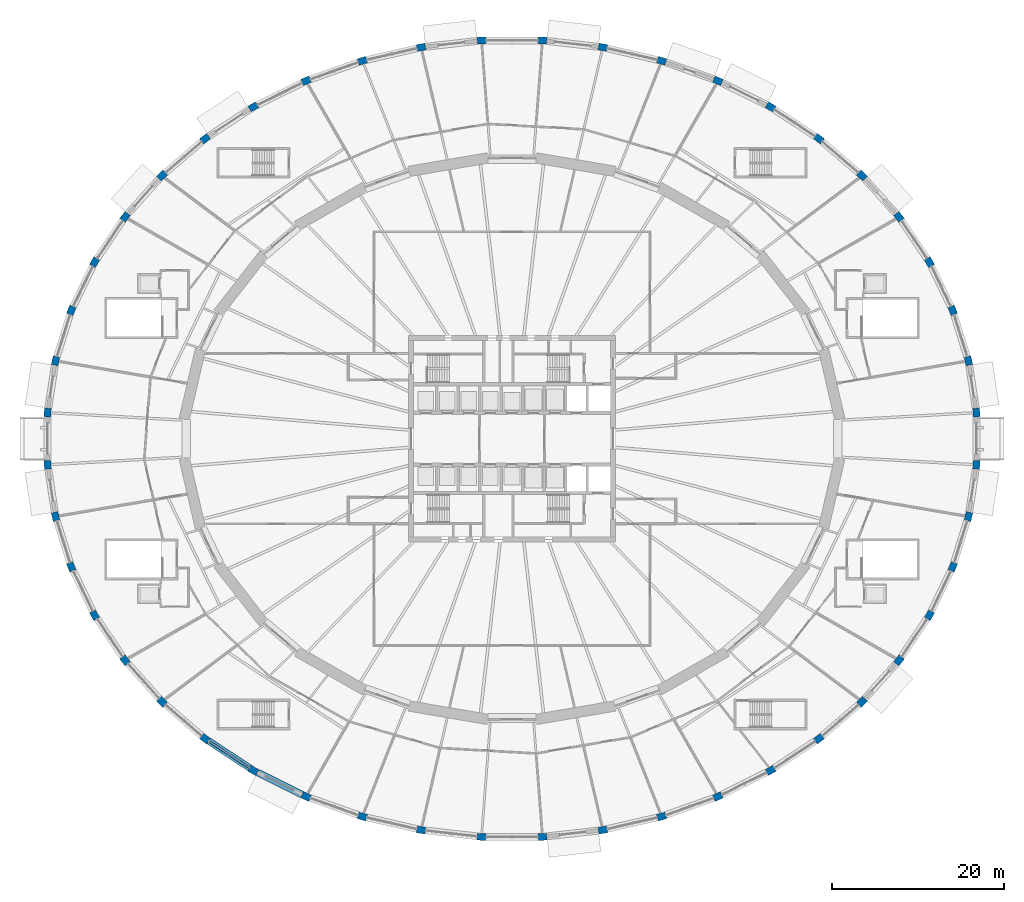
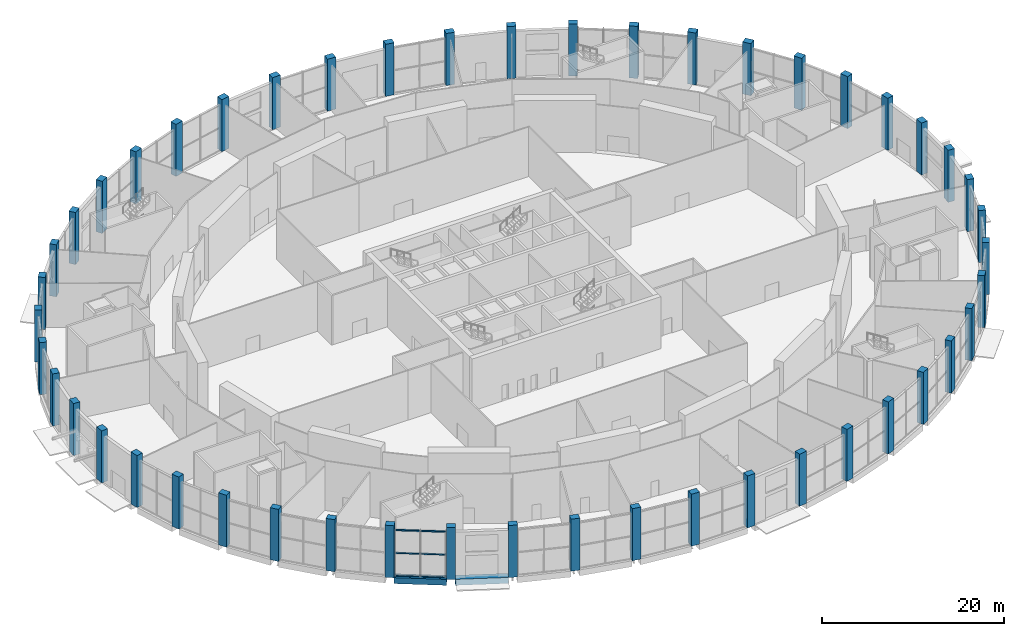
# One storey, part 1 of 33: 48 columns, 6 members, 2 beams, 1 element without a shape of its own.
"""IFC4 building model written with IfcOpenShell, lengths in metres."""

from ifc_helpers import new_model, si_unit, direction, frame, origin, origin_2d, place, context, subcontext, project, spatial, rectangle, extrude, material, material_profile, profile_set, type_object, element, aggregate, save


model = new_model("IFC4")

# Units and contexts
model_context = context("Model", 3, precision=1e-05, world=origin(), true_north=direction((0.0, 1.0)))
body_context = subcontext(model_context, "Body", "Model", "MODEL_VIEW")
ifc_project = project(units=[si_unit("LENGTHUNIT", "METRE"), si_unit("AREAUNIT", "SQUARE_METRE"), si_unit("VOLUMEUNIT", "CUBIC_METRE"), si_unit("PLANEANGLEUNIT", "RADIAN"), si_unit("MASSUNIT", "GRAM", prefix="KILO")], contexts=[model_context])

# Site, building, storey
site_placement = place(None, origin())
site = spatial("IfcSite", under=ifc_project, at=site_placement, CompositionType="ELEMENT")
building_placement = place(site_placement, origin())
building = spatial("IfcBuilding", under=site, at=building_placement, Name="Halqa Exchange Tower", CompositionType="ELEMENT")
storey_placement = place(building_placement, origin())
storey = spatial("IfcBuildingStorey", under=building, at=storey_placement, Name="L00", CompositionType="ELEMENT", Elevation=0.0)

# Columns
ifc_material_1 = material(Name="Concrete C60/75", Category="concrete")
ifc_material_profile_1 = material_profile(ifc_material_1, rectangle(XDim=1.0, YDim=0.800048828125, at=origin_2d()), Name="1000 x 800")
ifc_profile_set_1 = profile_set([ifc_material_profile_1], Name="Concrete C60/75")
column_type = type_object("IfcColumnType", Name="RC podium ring column 1000 x 800 C60/75", PredefinedType="COLUMN", material=ifc_profile_set_1)
for number, where, z_axis, x_axis, name in (
    (1, (53.884521484375, 3.0283203125, 0.0), (0.0, 0.0, 1.0), (-0.076223065836, 0.997090790367, 0.0), "Podium ring column 1"),
    (2, (52.96240234375, 9.03271484375, 0.0), (0.0, 0.0, 1.0), (-0.22599679145, 0.974128046129, 0.0), "Podium ring column 2"),
    (3, (51.13427734375, 14.882568359375, 0.0), (0.0, 0.0, 1.0), (-0.368109947744, 0.92978226826, 0.0), "Podium ring column 3"),
    (4, (48.43115234375, 20.47802734375, 0.0), (0.0, 0.0, 1.0), (-0.498569440634, 0.866849763723, 0.0), "Podium ring column 4"),
    (5, (44.8994140625, 25.722900390625, 0.0), (0.0, 0.0, 1.0), (-0.614691396063, 0.788767701929, 0.0), "Podium ring column 5"),
    (6, (40.599365234375, 30.527587890625, 0.0), (0.0, 0.0, 1.0), (-0.715039055588, 0.699084507755, 0.0), "Podium ring column 6"),
    (7, (35.604736328125, 34.810302734375, 0.0), (0.0, 0.0, 1.0), (-0.799260046694, 0.600985339055, 0.0), "Podium ring column 7"),
    (8, (30.000732421875, 38.4970703125, 0.0), (0.0, 0.0, 1.0), (-0.867693451459, 0.497099662336, 0.0), "Podium ring column 8"),
    (9, (23.883544921875, 41.525146484375, 0.0), (0.0, 0.0, 1.0), (-0.921048160137, 0.389448695861, 0.0), "Podium ring column 9"),
    (10, (17.357666015625, 43.843017578125, 0.0), (0.0, 0.0, 1.0), (-0.960157717988, 0.27945868494, 0.0), "Podium ring column 10"),
    (11, (10.534912109375, 45.410400390625, 0.0), (0.0, 0.0, 1.0), (-0.985766331194, 0.168121207122, 0.0), "Podium ring column 11"),
    (12, (3.53173828125, 46.200927734375, 0.0), (0.0, 0.0, 1.0), (-0.998424745269, 0.056107290394, 0.0), "Podium ring column 12"),
    (13, (-3.53173828125, 46.200927734375, 0.0), (0.0, 0.0, 1.0), (-0.998424745269, -0.056107290394, 0.0), "Podium ring column 13"),
    (14, (-10.534912109375, 45.410400390625, 0.0), (0.0, 0.0, 1.0), (-0.985766331194, -0.168121207122, 0.0), "Podium ring column 14"),
    (15, (-17.357666015625, 43.843017578125, 0.0), (0.0, 0.0, 1.0), (-0.960157717988, -0.27945868494, 0.0), "Podium ring column 15"),
    (16, (-23.883544921875, 41.525146484375, 0.0), (0.0, 0.0, 1.0), (-0.921048160137, -0.389448695861, 0.0), "Podium ring column 16"),
    (17, (-30.000732421875, 38.4970703125, 0.0), (0.0, 0.0, 1.0), (-0.867693451459, -0.497099662336, 0.0), "Podium ring column 17"),
    (18, (-35.604736328125, 34.810302734375, 0.0), (0.0, 0.0, 1.0), (-0.799260046694, -0.600985339055, 0.0), "Podium ring column 18"),
    (19, (-40.599365234375, 30.527587890625, 0.0), (0.0, 0.0, 1.0), (-0.715039055588, -0.699084507755, 0.0), "Podium ring column 19"),
    (20, (-44.8994140625, 25.722900390625, 0.0), (0.0, 0.0, 1.0), (-0.614691396063, -0.788767701929, 0.0), "Podium ring column 20"),
    (21, (-48.43115234375, 20.47802734375, 0.0), (0.0, 0.0, 1.0), (-0.498569440634, -0.866849763723, 0.0), "Podium ring column 21"),
    (22, (-51.13427734375, 14.882568359375, 0.0), (0.0, 0.0, 1.0), (-0.368109947744, -0.92978226826, 0.0), "Podium ring column 22"),
    (23, (-52.96240234375, 9.03271484375, 0.0), (0.0, 0.0, 1.0), (-0.22599679145, -0.974128046129, 0.0), "Podium ring column 23"),
    (24, (-53.884521484375, 3.0283203125, 0.0), (0.0, 0.0, 1.0), (-0.076223065836, -0.997090790367, 0.0), "Podium ring column 24"),
    (25, (-53.884521484375, -3.0283203125, 0.0), (0.0, 0.0, 1.0), (0.076223065836, -0.997090790367, 0.0), "Podium ring column 25"),
    (26, (-52.96240234375, -9.03271484375, 0.0), (0.0, 0.0, 1.0), (0.22599679145, -0.974128046129, 0.0), "Podium ring column 26"),
    (27, (-51.13427734375, -14.882568359375, 0.0), (0.0, 0.0, 1.0), (0.368109947744, -0.92978226826, 0.0), "Podium ring column 27"),
    (28, (-48.43115234375, -20.47802734375, 0.0), (0.0, 0.0, 1.0), (0.498569440634, -0.866849763723, 0.0), "Podium ring column 28"),
    (29, (-44.8994140625, -25.722900390625, 0.0), (0.0, 0.0, 1.0), (0.614691396063, -0.788767701929, 0.0), "Podium ring column 29"),
    (30, (-40.599365234375, -30.527587890625, 0.0), (0.0, 0.0, 1.0), (0.715039055588, -0.699084507755, 0.0), "Podium ring column 30"),
    (31, (-35.604736328125, -34.810302734375, 0.0), (0.0, 0.0, 1.0), (0.799260046694, -0.600985339055, 0.0), "Podium ring column 31"),
    (32, (-30.000732421875, -38.4970703125, 0.0), (0.0, 0.0, 1.0), (0.867693451459, -0.497099662336, 0.0), "Podium ring column 32"),
    (33, (-23.883544921875, -41.525146484375, 0.0), (0.0, 0.0, 1.0), (0.921048160137, -0.389448695861, 0.0), "Podium ring column 33"),
    (34, (-17.357666015625, -43.843017578125, 0.0), (0.0, 0.0, 1.0), (0.960157717988, -0.27945868494, 0.0), "Podium ring column 34"),
    (35, (-10.534912109375, -45.410400390625, 0.0), (0.0, 0.0, 1.0), (0.985766331194, -0.168121207122, 0.0), "Podium ring column 35"),
    (36, (-3.53173828125, -46.200927734375, 0.0), (0.0, 0.0, 1.0), (0.998424745269, -0.056107290394, 0.0), "Podium ring column 36"),
    (37, (3.53173828125, -46.200927734375, 0.0), (0.0, 0.0, 1.0), (0.998424745269, 0.056107290394, 0.0), "Podium ring column 37"),
    (38, (10.534912109375, -45.410400390625, 0.0), (0.0, 0.0, 1.0), (0.985766331194, 0.168121207122, 0.0), "Podium ring column 38"),
    (39, (17.357666015625, -43.843017578125, 0.0), (0.0, 0.0, 1.0), (0.960157717988, 0.27945868494, 0.0), "Podium ring column 39"),
    (40, (23.883544921875, -41.525146484375, 0.0), (0.0, 0.0, 1.0), (0.921048160137, 0.389448695861, 0.0), "Podium ring column 40"),
    (41, (30.000732421875, -38.4970703125, 0.0), (0.0, 0.0, 1.0), (0.867693451459, 0.497099662336, 0.0), "Podium ring column 41"),
    (42, (35.604736328125, -34.810302734375, 0.0), (0.0, 0.0, 1.0), (0.799260046694, 0.600985339055, 0.0), "Podium ring column 42"),
    (43, (40.599365234375, -30.527587890625, 0.0), (0.0, 0.0, 1.0), (0.715039055588, 0.699084507755, 0.0), "Podium ring column 43"),
    (44, (44.8994140625, -25.722900390625, 0.0), (0.0, 0.0, 1.0), (0.614691396063, 0.788767701929, 0.0), "Podium ring column 44"),
    (45, (48.43115234375, -20.47802734375, 0.0), (0.0, 0.0, 1.0), (0.498569440634, 0.866849763723, 0.0), "Podium ring column 45"),
    (46, (51.13427734375, -14.882568359375, 0.0), (0.0, 0.0, 1.0), (0.368109947744, 0.92978226826, 0.0), "Podium ring column 46"),
    (47, (52.96240234375, -9.03271484375, 0.0), (0.0, 0.0, 1.0), (0.22599679145, 0.974128046129, 0.0), "Podium ring column 47"),
    (48, (53.884521484375, -3.0283203125, 0.0), (0.0, 0.0, 1.0), (0.076223065836, 0.997090790367, 0.0), "Podium ring column 48"),
):
    element("IfcColumn", number, at=place(storey_placement, frame(where, z_axis=z_axis, x_axis=x_axis)), inside=storey, type_object=column_type, Name=name, PredefinedType="COLUMN", context=body_context, shape_type="SweptSolid", body=[
        extrude(rectangle(XDim=1.0, YDim=0.800048828125, at=origin_2d()), origin(), (0.0, 0.0, 1.0), 7.0),
    ])

# Beams
ifc_material_profile_2 = material_profile(ifc_material_1, rectangle(XDim=0.800048828125, YDim=0.800048828125, at=origin_2d()), Name="800 x 800")
ifc_profile_set_2 = profile_set([ifc_material_profile_2], Name="Concrete C60/75")
beam_type = type_object("IfcBeamType", Name="RC podium edge beam 800 x 800 C60/75", PredefinedType="SPANDREL", material=ifc_profile_set_2)
beam_1_placement = place(storey_placement, frame((-35.208984375, -35.070556640625, -0.39990234375), z_axis=(0.835418618456, -0.549614166426, 0.0), x_axis=(0.549614166426, 0.835418618456, 0.0)))
element("IfcBeam", 49, at=beam_1_placement, inside=storey, type_object=beam_type, Name="Podium edge beam 31", PredefinedType="SPANDREL", context=body_context, shape_type="SweptSolid", body=[
    extrude(rectangle(XDim=0.800048828125, YDim=0.800048828125, at=origin_2d()), origin(), (0.0, 0.0, 1.0), 5.760986328125),
])
beam_2_placement = place(storey_placement, frame((-29.576904296875, -38.706787109375, -0.39990234375), z_axis=(0.896205416004, -0.443639326847, 0.0), x_axis=(0.443639326847, 0.896205416004, 0.0)))
element("IfcBeam", 50, at=beam_2_placement, inside=storey, type_object=beam_type, Name="Podium edge beam 32", PredefinedType="SPANDREL", context=body_context, shape_type="SweptSolid", body=[
    extrude(rectangle(XDim=0.800048828125, YDim=0.800048828125, at=origin_2d()), origin(), (0.0, 0.0, 1.0), 5.880126953125),
])

# Curtain wall, members
ifc_material_2 = material(Name="Anodised aluminium and clear glass", Category="aluminium")
curtain_wall_type = type_object("IfcCurtainWallType", Name="Station concourse glazing", PredefinedType="NOTDEFINED", material=ifc_material_2)
curtain_wall_placement = place(storey_placement, origin())
curtain_wall = element("IfcCurtainWall", 51, at=curtain_wall_placement, inside=storey, type_object=curtain_wall_type, Name="Station concourse glazing run P31", PredefinedType="NOTDEFINED")
ifc_material_3 = material(Name="Anodised aluminium", Category="aluminium")
ifc_material_profile_3 = material_profile(ifc_material_3, rectangle(XDim=0.25, YDim=0.080078125, at=origin_2d()), Name="AL 80x250")
ifc_profile_set_3 = profile_set([ifc_material_profile_3], Name="Anodised aluminium")
member_type = type_object("IfcMemberType", Name="Station concourse glazing transom 80 x 250", PredefinedType="USERDEFINED", material=ifc_profile_set_3)
member_1_placement = place(storey_placement, frame((-35.1201171875, -35.12890625, 0.0400390625), z_axis=(0.835400896538, -0.54964110296, 0.0), x_axis=(0.54964110296, 0.835400896538, 0.0)))
member_1 = element("IfcMember", 52, at=member_1_placement, type_object=member_type, Name="P31 transom 1.1", ObjectType="TRANSOM", PredefinedType="USERDEFINED", context=body_context, shape_type="SweptSolid", body=[
    extrude(rectangle(XDim=0.25, YDim=0.080078125, at=origin_2d()), origin(), (0.0, 0.0, 1.0), 2.73388671875),
])
member_2_placement = place(storey_placement, frame((-35.1201171875, -35.12890625, 3.10009765625), z_axis=(0.835400896538, -0.54964110296, 0.0), x_axis=(0.54964110296, 0.835400896538, 0.0)))
member_2 = element("IfcMember", 53, at=member_2_placement, type_object=member_type, Name="P31 transom 1.2", ObjectType="TRANSOM", PredefinedType="USERDEFINED", context=body_context, shape_type="SweptSolid", body=[
    extrude(rectangle(XDim=0.25, YDim=0.080078125, at=origin_2d()), origin(), (0.0, 0.0, 1.0), 2.73388671875),
])
member_3_placement = place(storey_placement, frame((-35.1201171875, -35.12890625, 6.159912109375), z_axis=(0.835400896538, -0.54964110296, 0.0), x_axis=(0.54964110296, 0.835400896538, 0.0)))
member_3 = element("IfcMember", 54, at=member_3_placement, type_object=member_type, Name="P31 transom 1.3", ObjectType="TRANSOM", PredefinedType="USERDEFINED", context=body_context, shape_type="SweptSolid", body=[
    extrude(rectangle(XDim=0.25, YDim=0.080078125, at=origin_2d()), origin(), (0.0, 0.0, 1.0), 2.73388671875),
])
member_4_placement = place(storey_placement, frame((-32.769287109375, -36.675537109375, 0.0400390625), z_axis=(0.835400896538, -0.54964110296, 0.0), x_axis=(0.54964110296, 0.835400896538, 0.0)))
member_4 = element("IfcMember", 55, at=member_4_placement, type_object=member_type, Name="P31 transom 2.1", ObjectType="TRANSOM", PredefinedType="USERDEFINED", context=body_context, shape_type="SweptSolid", body=[
    extrude(rectangle(XDim=0.25, YDim=0.080078125, at=origin_2d()), origin(), (0.0, 0.0, 1.0), 2.73388671875),
])
member_5_placement = place(storey_placement, frame((-32.769287109375, -36.675537109375, 3.10009765625), z_axis=(0.835400896538, -0.54964110296, 0.0), x_axis=(0.54964110296, 0.835400896538, 0.0)))
member_5 = element("IfcMember", 56, at=member_5_placement, type_object=member_type, Name="P31 transom 2.2", ObjectType="TRANSOM", PredefinedType="USERDEFINED", context=body_context, shape_type="SweptSolid", body=[
    extrude(rectangle(XDim=0.25, YDim=0.080078125, at=origin_2d()), origin(), (0.0, 0.0, 1.0), 2.73388671875),
])
member_6_placement = place(storey_placement, frame((-32.769287109375, -36.675537109375, 6.159912109375), z_axis=(0.835400896538, -0.54964110296, 0.0), x_axis=(0.54964110296, 0.835400896538, 0.0)))
member_6 = element("IfcMember", 57, at=member_6_placement, type_object=member_type, Name="P31 transom 2.3", ObjectType="TRANSOM", PredefinedType="USERDEFINED", context=body_context, shape_type="SweptSolid", body=[
    extrude(rectangle(XDim=0.25, YDim=0.080078125, at=origin_2d()), origin(), (0.0, 0.0, 1.0), 2.73388671875),
])
aggregate(curtain_wall, [member_1, member_2, member_3, member_4, member_5, member_6])

save(model, "model.ifc")
